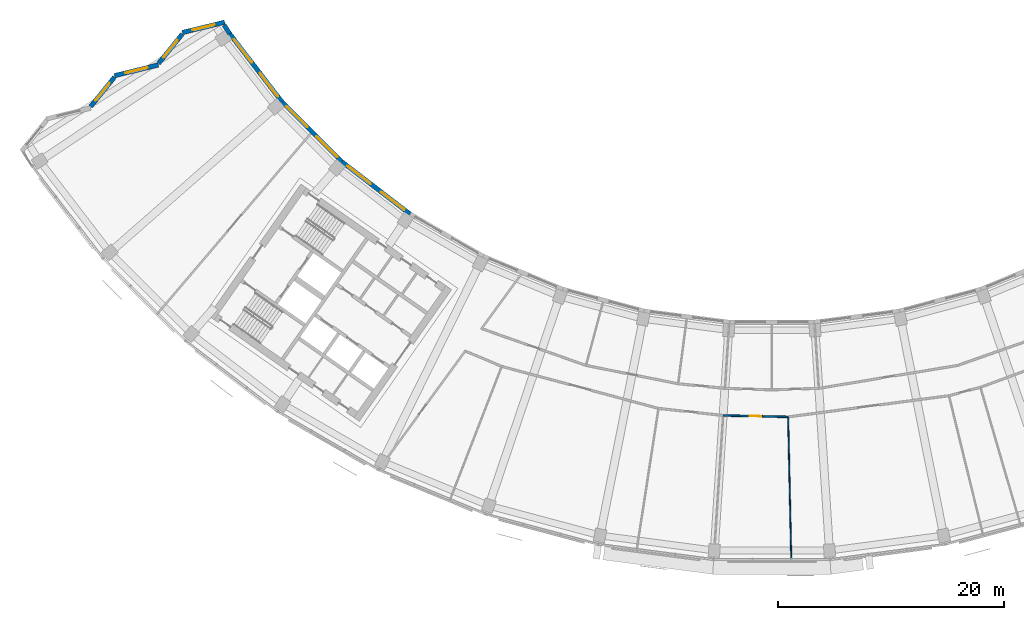
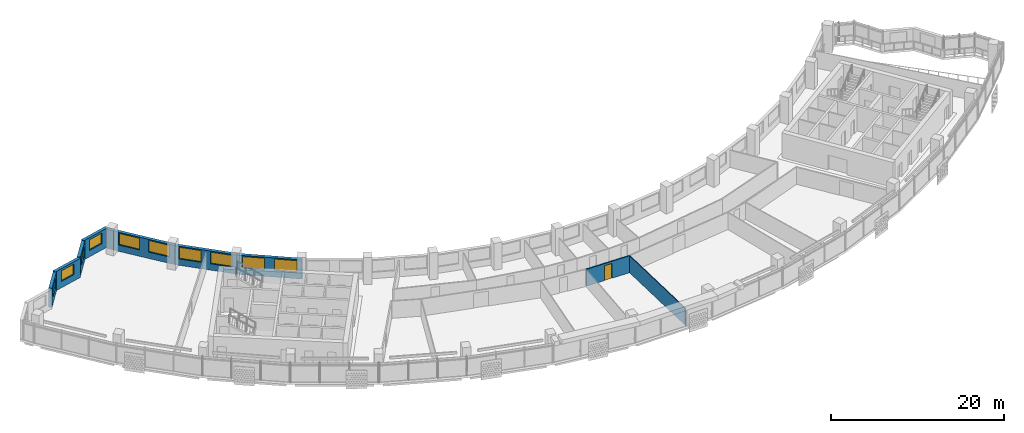
# One storey, part 5 of 29: 10 walls, 10 windows, 1 door, 11 openings.
"""IFC4 building model written with IfcOpenShell, lengths in metres."""

import ifcopenshell
import ifcopenshell.guid

model = None  # the IFC model being written
_history = None  # IfcOwnerHistory: only IFC2X3 demands one
_inside = {}  # id of a spatial element -> (the spatial element, [elements in it])
_under = {}  # id of a project, library or spatial element -> (it, [spatial elements below it])
_declared = {}  # id of a project -> (the project, [libraries it declares])
_typed = {}  # id of a type object -> (the type object, [elements of that type])
_made_of = {}  # id of a material, layer set ... -> (it, [elements and type objects made of it])


def new_model(schema):
    """Start an empty IFC model of exactly this schema.

    Asked for "IFC4X3", IfcOpenShell would pick the latest addendum, in which some entities
    have other attributes; the version numbers below select the first issue.
    IFC2X3 requires an IfcOwnerHistory on every rooted entity: one is made here for all.
    """
    global model, _history
    if schema == "IFC4X3":
        model = ifcopenshell.file(schema_version=(4, 3, 0, 0))
    else:
        model = ifcopenshell.file(schema=schema)
    _inside.clear()
    _under.clear()
    _declared.clear()
    _typed.clear()
    _made_of.clear()
    _history = None
    if model.schema == "IFC2X3":
        org = make("IfcOrganization", Name="unknown")
        user = make(
            "IfcPersonAndOrganization",
            ThePerson=make("IfcPerson", FamilyName="unknown"),
            TheOrganization=org,
        )
        app = make(
            "IfcApplication",
            ApplicationDeveloper=org,
            Version="unknown",
            ApplicationFullName="unknown",
            ApplicationIdentifier="unknown",
        )
        _history = make(
            "IfcOwnerHistory",
            OwningUser=user,
            OwningApplication=app,
            ChangeAction="ADDED",
            CreationDate=0,
        )
    return model


def make(cls, **values):
    """One entity of the class cls with the attributes given. An attribute that is None is left unset."""
    return model.create_entity(
        cls, **{name: value for name, value in values.items() if value is not None}
    )


def rooted(cls, **values):
    """An entity with a GlobalId (a new one), such as an element, a storey or a relation."""
    return make(cls, GlobalId=ifcopenshell.guid.new(), OwnerHistory=_history, **values)


def si_unit(unit_type, name, prefix=None):
    """IfcSIUnit, for example si_unit("LENGTHUNIT", "METRE", prefix="MILLI")."""
    return make("IfcSIUnit", UnitType=unit_type, Prefix=prefix, Name=name)


def assignment(units):
    """IfcUnitAssignment: the units of a project."""
    return None if units is None else make("IfcUnitAssignment", Units=units)


def point(xyz):
    """IfcCartesianPoint."""
    return None if xyz is None else make("IfcCartesianPoint", Coordinates=xyz)


def direction(xyz):
    """IfcDirection."""
    return None if xyz is None else make("IfcDirection", DirectionRatios=xyz)


def frame(location, z_axis=None, x_axis=None):
    """IfcAxis2Placement3D, a coordinate frame: its origin and axes. An axis left out is left unset."""
    return make(
        "IfcAxis2Placement3D",
        Location=point(location),
        Axis=direction(z_axis),
        RefDirection=direction(x_axis),
    )


def frame_2d(location, x_axis=None):
    """IfcAxis2Placement2D, a coordinate frame in the plane: its origin and x axis."""
    return make(
        "IfcAxis2Placement2D", Location=point(location), RefDirection=direction(x_axis)
    )


def origin():
    """The frame at (0, 0, 0) with its axes left unset."""
    return frame((0.0, 0.0, 0.0))


def place(relative_to, where):
    """IfcLocalPlacement: puts the frame where relative to a parent placement (None: the world)."""
    return make(
        "IfcLocalPlacement", PlacementRelTo=relative_to, RelativePlacement=where
    )


def context(
    kind, dimensions, precision=None, world=None, true_north=None, identifier=None
):
    """IfcGeometricRepresentationContext, for example the 3D "Model" context."""
    return make(
        "IfcGeometricRepresentationContext",
        ContextIdentifier=identifier,
        ContextType=kind,
        CoordinateSpaceDimension=dimensions,
        Precision=precision,
        WorldCoordinateSystem=world,
        TrueNorth=true_north,
    )


def subcontext(parent, identifier, kind, view, scale=None):
    """IfcGeometricRepresentationSubContext, for example "Body" below "Model"."""
    return make(
        "IfcGeometricRepresentationSubContext",
        ContextIdentifier=identifier,
        ContextType=kind,
        ParentContext=parent,
        TargetScale=scale,
        TargetView=view,
    )


def project(units=None, contexts=None):
    """IfcProject with its units and contexts."""
    return rooted(
        "IfcProject",
        Name="project",
        RepresentationContexts=contexts,
        UnitsInContext=assignment(units),
    )


def spatial(cls, under=None, at=None, **own):
    """A site, building, storey or space (cls), placed at a placement, below another one or the project."""
    s = rooted(cls, ObjectPlacement=at, **own)
    if under is not None:
        _under.setdefault(under.id(), (under, []))[1].append(s)
    return s


def profile(cls, at=None, kind="AREA", **sizes):
    """A parametric profile (cls). Its sizes go by their IFC names, for example OverallWidth=200.0."""
    return make(cls, ProfileType=kind, Position=at, **sizes)


def rectangle(**sizes):
    """IfcRectangleProfileDef."""
    return profile("IfcRectangleProfileDef", **sizes)


def extrude(swept, where, along, depth):
    """IfcExtrudedAreaSolid: the profile swept, set in the frame where, extruded along a direction by depth."""
    return make(
        "IfcExtrudedAreaSolid",
        SweptArea=swept,
        Position=where,
        ExtrudedDirection=direction(along),
        Depth=depth,
    )


def shape(context_of_items, identifier, shape_type, items):
    """IfcShapeRepresentation: the items that make up one representation, for example the "Body"."""
    return make(
        "IfcShapeRepresentation",
        ContextOfItems=context_of_items,
        RepresentationIdentifier=identifier,
        RepresentationType=shape_type,
        Items=items,
    )


def material(Name=None, Category=None):
    """IfcMaterial."""
    return make("IfcMaterial", Name=Name, Category=Category)


def layer(
    of_material, thickness, ventilated=None, Name=None, Category=None, Priority=None
):
    """IfcMaterialLayer: one layer of a wall or slab, of a material (None: an air gap)."""
    return make(
        "IfcMaterialLayer",
        Material=of_material,
        LayerThickness=thickness,
        IsVentilated=ventilated,
        Name=Name,
        Category=Category,
        Priority=Priority,
    )


def layer_set(layers, Name=None):
    """IfcMaterialLayerSet."""
    return make("IfcMaterialLayerSet", MaterialLayers=layers, LayerSetName=Name)


def made_of(thing, what):
    """Note that an element or type object is made of a material, layer set ...; save() writes the relation."""
    if what is not None:
        _made_of.setdefault(what.id(), (what, []))[1].append(thing)
    return thing


def type_object(cls, material=None, **own):
    """A type object (cls), such as IfcWallType, which elements share."""
    return made_of(rooted(cls, **own), material)


def element(
    cls,
    number,
    at=None,
    inside=None,
    cuts=None,
    type_object=None,
    material=None,
    context=None,
    identifier="Body",
    shape_type=None,
    held_by="IfcProductDefinitionShape",
    body=None,
    shapes=None,
    **own,
):
    """One element of the class cls, such as IfcWall. Its Tag is "e" and its number.

    at: its placement. inside: the storey or other place that contains it. cuts: it is an
    opening in that element (IfcRelVoidsElement). A single representation is given by context,
    identifier, shape_type and body (its items); several are given by shapes. held_by: the class
    of the entity that holds the representations. save() writes the other relations.
    """
    e = rooted(cls, Tag="e%d" % number, ObjectPlacement=at, **own)
    if body is not None:
        shapes = [shape(context, identifier, shape_type, body)]
    if shapes is not None:
        e.Representation = make(held_by, Representations=shapes)
    if inside is not None:
        _inside.setdefault(inside.id(), (inside, []))[1].append(e)
    if cuts is not None:
        rooted(
            "IfcRelVoidsElement", RelatingBuildingElement=cuts, RelatedOpeningElement=e
        )
    if type_object is not None:
        _typed.setdefault(type_object.id(), (type_object, []))[1].append(e)
    return made_of(e, material)


def fill(opening, filler):
    """IfcRelFillsElement: the door or window that sits in an opening."""
    return rooted(
        "IfcRelFillsElement",
        RelatingOpeningElement=opening,
        RelatedBuildingElement=filler,
    )


def aggregate(whole, parts):
    """IfcRelAggregates: a whole, such as a stair, and the parts it consists of."""
    return rooted("IfcRelAggregates", RelatingObject=whole, RelatedObjects=parts)


def save(model, path):
    """Write the relations noted so far, then the file.

    IfcRelAggregates (storeys below a building ...), IfcRelContainedInSpatialStructure (elements
    in a storey), IfcRelDefinesByType, IfcRelAssociatesMaterial and IfcRelDeclares: one each for
    every whole, place, type object, material and project.
    """
    for whole, parts in _under.values():
        aggregate(whole, parts)
    for where, things in _inside.values():
        rooted(
            "IfcRelContainedInSpatialStructure",
            RelatedElements=things,
            RelatingStructure=where,
        )
    for kind, things in _typed.values():
        rooted("IfcRelDefinesByType", RelatedObjects=things, RelatingType=kind)
    for what, things in _made_of.values():
        rooted("IfcRelAssociatesMaterial", RelatedObjects=things, RelatingMaterial=what)
    for by, libraries in _declared.values():
        rooted("IfcRelDeclares", RelatingContext=by, RelatedDefinitions=libraries)
    model.write(path)


model = new_model("IFC4")

# Units and contexts
model_context = context("Model", 3, precision=1e-05, world=origin(), true_north=direction((0.0, 1.0)))
body_context = subcontext(model_context, "Body", "Model", "MODEL_VIEW")
ifc_project = project(units=[si_unit("LENGTHUNIT", "METRE"), si_unit("AREAUNIT", "SQUARE_METRE"), si_unit("VOLUMEUNIT", "CUBIC_METRE"), si_unit("PLANEANGLEUNIT", "RADIAN"), si_unit("MASSUNIT", "GRAM", prefix="KILO")], contexts=[model_context])

# Site, building, storey
site_placement = place(None, origin())
site = spatial("IfcSite", under=ifc_project, at=site_placement, CompositionType="ELEMENT")
building_placement = place(site_placement, origin())
building = spatial("IfcBuilding", under=site, at=building_placement, Name="Qamariyya Broadcast Tower", CompositionType="ELEMENT")
storey_placement = place(building_placement, frame((0.0, 0.0, 207.5)))
storey = spatial("IfcBuildingStorey", under=building, at=storey_placement, Name="L49", CompositionType="ELEMENT", Elevation=207.5)

# Wall, opening, door
ifc_material_1 = material(Name="Gypsum board partition")
ifc_layer_1 = layer(ifc_material_1, 0.14990234375)
ifc_layer_set_1 = layer_set([ifc_layer_1], Name="Corridor partition 150 EI 60")
wall_type_1 = type_object("IfcWallType", Name="Corridor partition 150 EI 60", PredefinedType="PARTITIONING", material=ifc_layer_set_1)
wall_1_placement = place(storey_placement, frame((1.437255859375, -65.7841796875, 0.0), z_axis=(0.0, 0.0, 1.0), x_axis=(-0.999763025016, 0.021769102186, 0.0)))
wall_1 = element("IfcWall", 1, at=wall_1_placement, inside=storey, type_object=wall_type_1, Name="Partition L49-015", PredefinedType="PARTITIONING", context=body_context, shape_type="SweptSolid", body=[
    extrude(rectangle(XDim=5.7421875, YDim=0.14990234375, at=frame_2d((2.87109375, 0.0))), origin(), (0.0, 0.0, 1.0), 2.39990234375),
])
opening_1_placement = place(wall_1_placement, frame((2.37109375, 0.0, 0.0)))
opening_1 = element("IfcOpeningElement", 2, at=opening_1_placement, cuts=wall_1, Name="Opening L49-D04", PredefinedType="OPENING", context=body_context, shape_type="SweptSolid", body=[
    extrude(rectangle(XDim=1.0, YDim=2.10009765625, at=frame_2d((0.5, 1.050048828125))), frame((0.0, 0.0849609375, 0.0), z_axis=(0.0, -1.0, 0.0), x_axis=(1.0, 0.0, 0.0)), (0.0, 0.0, 1.0), 0.169921875),
])
ifc_material_2 = material(Name="Timber fire door leaf", Category="wood")
door_type = type_object("IfcDoorType", Name="Fire door 1000 x 2100 FD60", OperationType="NOTDEFINED", PredefinedType="DOOR", material=ifc_material_2)
door_placement = place(opening_1_placement, origin())
door = element("IfcDoor", 3, at=door_placement, inside=storey, type_object=door_type, Name="Door L49-D04", OperationType="SINGLE_SWING_RIGHT", OverallHeight=2.10009765625, OverallWidth=1.0, PredefinedType="DOOR", context=body_context, shape_type="SweptSolid", body=[
    extrude(rectangle(XDim=1.0, YDim=2.10009765625, at=frame_2d((0.5, 1.050048828125))), frame((0.0, 0.02490234375, 0.0), z_axis=(0.0, -1.0, 0.0), x_axis=(1.0, 0.0, 0.0)), (0.0, 0.0, 1.0), 0.050048828125),
])
fill(opening_1, door)

# Wall
ifc_layer_2 = layer(ifc_material_1, 0.10009765625)
ifc_layer_set_2 = layer_set([ifc_layer_2], Name="Partition 100")
wall_type_2 = type_object("IfcWallType", Name="Partition 100", PredefinedType="PARTITIONING", material=ifc_layer_set_2)
wall_2_placement = place(storey_placement, frame((1.710205078125, -78.28173828125, 0.0), z_axis=(0.0, 0.0, 1.0), x_axis=(-0.02182963041, 0.999761705226, 0.0)))
element("IfcWall", 4, at=wall_2_placement, inside=storey, type_object=wall_type_2, Name="Partition L49-021", PredefinedType="PARTITIONING", context=body_context, shape_type="SweptSolid", body=[
    extrude(rectangle(XDim=12.42529296875, YDim=0.10009765625, at=frame_2d((6.212646484375, 0.0))), origin(), (0.0, 0.0, 1.0), 2.39990234375),
])

# Wall, opening, window
ifc_material_3 = material(Name="Terracotta", Category="masonry")
ifc_layer_3 = layer(ifc_material_3, 0.39990234375)
ifc_layer_set_3 = layer_set([ifc_layer_3], Name="Terracotta clad wall 400")
wall_type_3 = type_object("IfcWallType", Name="Terracotta clad wall 400", PredefinedType="SOLIDWALL", material=ifc_layer_set_3)
wall_3_placement = place(storey_placement, frame((-48.315185546875, -30.932373046875, 0.0), z_axis=(0.0, 0.0, 1.0), x_axis=(-0.971581043883, -0.236707150648, 0.0)))
wall_3 = element("IfcWall", 5, at=wall_3_placement, inside=storey, type_object=wall_type_3, Name="e-wl-L49-capW0", PredefinedType="SOLIDWALL", context=body_context, shape_type="SweptSolid", body=[
    extrude(rectangle(XDim=3.8369140625, YDim=0.39990234375, at=frame_2d((1.91845703125, 0.0))), origin(), (0.0, 0.0, 1.0), 2.699951171875),
])
opening_2_placement = place(wall_3_placement, frame((0.91845703125, 0.0, 0.89990234375)))
opening_2 = element("IfcOpeningElement", 6, at=opening_2_placement, cuts=wall_3, Name="Opening W4", PredefinedType="OPENING", context=body_context, shape_type="SweptSolid", body=[
    extrude(rectangle(XDim=2.0, YDim=1.5, at=frame_2d((1.0, 0.75))), frame((0.0, 0.2099609375, 0.0), z_axis=(0.0, -1.0, 0.0), x_axis=(1.0, 0.0, 0.0)), (0.0, 0.0, 1.0), 0.419921875),
])
ifc_material_4 = material(Name="Clear low-e double glazed unit in aluminium frame", Category="aluminium")
window_type_1 = type_object("IfcWindowType", Name="Horn bay window 2000 x 1500", PartitioningType="SINGLE_PANEL", PredefinedType="WINDOW", material=ifc_material_4)
window_1_placement = place(opening_2_placement, origin())
window_1 = element("IfcWindow", 7, at=window_1_placement, inside=storey, type_object=window_type_1, Name="e-w-L49-capW0", OverallHeight=1.5, OverallWidth=2.0, PartitioningType="SINGLE_PANEL", PredefinedType="WINDOW", context=body_context, shape_type="SweptSolid", body=[
    extrude(rectangle(XDim=2.0, YDim=1.5, at=frame_2d((1.0, 0.75))), frame((0.0, 0.030029296875, 0.0), z_axis=(0.0, -1.0, 0.0), x_axis=(1.0, 0.0, 0.0)), (0.0, 0.0, 1.0), 0.06005859375),
])
fill(opening_2, window_1)

wall_4_placement = place(storey_placement, frame((-52.0625, -31.98046875, 0.0), z_axis=(0.0, 0.0, 1.0), x_axis=(-0.628777875395, -0.777584968614, 0.0)))
wall_4 = element("IfcWall", 8, at=wall_4_placement, inside=storey, type_object=wall_type_3, Name="e-wl-L49-capW1", PredefinedType="SOLIDWALL", context=body_context, shape_type="SweptSolid", body=[
    extrude(rectangle(XDim=3.32568359375, YDim=0.39990234375, at=frame_2d((1.662841796875, 0.0))), origin(), (0.0, 0.0, 1.0), 2.699951171875),
])
opening_3_placement = place(wall_4_placement, frame((0.662841796875, 0.0, 0.89990234375)))
opening_3 = element("IfcOpeningElement", 9, at=opening_3_placement, cuts=wall_4, Name="Opening W4", PredefinedType="OPENING", context=body_context, shape_type="SweptSolid", body=[
    extrude(rectangle(XDim=2.0, YDim=1.5, at=frame_2d((1.0, 0.75))), frame((0.0, 0.2099609375, 0.0), z_axis=(0.0, -1.0, 0.0), x_axis=(1.0, 0.0, 0.0)), (0.0, 0.0, 1.0), 0.419921875),
])
window_2_placement = place(opening_3_placement, origin())
window_2 = element("IfcWindow", 10, at=window_2_placement, inside=storey, type_object=window_type_1, Name="e-w-L49-capW1", OverallHeight=1.5, OverallWidth=2.0, PartitioningType="SINGLE_PANEL", PredefinedType="WINDOW", context=body_context, shape_type="SweptSolid", body=[
    extrude(rectangle(XDim=2.0, YDim=1.5, at=frame_2d((1.0, 0.75))), frame((0.0, 0.030029296875, 0.0), z_axis=(0.0, -1.0, 0.0), x_axis=(1.0, 0.0, 0.0)), (0.0, 0.0, 1.0), 0.06005859375),
])
fill(opening_3, window_2)

wall_5_placement = place(storey_placement, frame((-54.173095703125, -34.706298828125, 0.0), z_axis=(0.0, 0.0, 1.0), x_axis=(-0.971569603362, -0.23675410413, 0.0)))
wall_5 = element("IfcWall", 11, at=wall_5_placement, inside=storey, type_object=wall_type_3, Name="e-wl-L49-capW2", PredefinedType="SOLIDWALL", context=body_context, shape_type="SweptSolid", body=[
    extrude(rectangle(XDim=3.977294921875, YDim=0.39990234375, at=frame_2d((1.98876953125, 0.0))), origin(), (0.0, 0.0, 1.0), 2.699951171875),
])
opening_4_placement = place(wall_5_placement, frame((0.988525390625, 0.0, 0.89990234375)))
opening_4 = element("IfcOpeningElement", 12, at=opening_4_placement, cuts=wall_5, Name="Opening W4", PredefinedType="OPENING", context=body_context, shape_type="SweptSolid", body=[
    extrude(rectangle(XDim=2.0, YDim=1.5, at=frame_2d((1.0, 0.75))), frame((0.0, 0.2099609375, 0.0), z_axis=(0.0, -1.0, 0.0), x_axis=(1.0, 0.0, 0.0)), (0.0, 0.0, 1.0), 0.419921875),
])
window_3_placement = place(opening_4_placement, origin())
window_3 = element("IfcWindow", 13, at=window_3_placement, inside=storey, type_object=window_type_1, Name="e-w-L49-capW2", OverallHeight=1.5, OverallWidth=2.0, PartitioningType="SINGLE_PANEL", PredefinedType="WINDOW", context=body_context, shape_type="SweptSolid", body=[
    extrude(rectangle(XDim=2.0, YDim=1.5, at=frame_2d((1.0, 0.75))), frame((0.0, 0.030029296875, 0.0), z_axis=(0.0, -1.0, 0.0), x_axis=(1.0, 0.0, 0.0)), (0.0, 0.0, 1.0), 0.06005859375),
])
fill(opening_4, window_3)

wall_6_placement = place(storey_placement, frame((-58.056640625, -35.787841796875, 0.0), z_axis=(0.0, 0.0, 1.0), x_axis=(-0.628672072819, -0.777670511757, 0.0)))
wall_6 = element("IfcWall", 14, at=wall_6_placement, inside=storey, type_object=wall_type_3, Name="e-wl-L49-capW3", PredefinedType="SOLIDWALL", context=body_context, shape_type="SweptSolid", body=[
    extrude(rectangle(XDim=3.32470703125, YDim=0.39990234375, at=frame_2d((1.662353515625, 0.0))), origin(), (0.0, 0.0, 1.0), 2.699951171875),
])
opening_5_placement = place(wall_6_placement, frame((0.662353515625, 0.0, 0.89990234375)))
opening_5 = element("IfcOpeningElement", 15, at=opening_5_placement, cuts=wall_6, Name="Opening W4", PredefinedType="OPENING", context=body_context, shape_type="SweptSolid", body=[
    extrude(rectangle(XDim=2.0, YDim=1.5, at=frame_2d((1.0, 0.75))), frame((0.0, 0.2099609375, 0.0), z_axis=(0.0, -1.0, 0.0), x_axis=(1.0, 0.0, 0.0)), (0.0, 0.0, 1.0), 0.419921875),
])
window_4_placement = place(opening_5_placement, origin())
window_4 = element("IfcWindow", 16, at=window_4_placement, inside=storey, type_object=window_type_1, Name="e-w-L49-capW3", OverallHeight=1.5, OverallWidth=2.0, PartitioningType="SINGLE_PANEL", PredefinedType="WINDOW", context=body_context, shape_type="SweptSolid", body=[
    extrude(rectangle(XDim=2.0, YDim=1.5, at=frame_2d((1.0, 0.75))), frame((0.0, 0.030029296875, 0.0), z_axis=(0.0, -1.0, 0.0), x_axis=(1.0, 0.0, 0.0)), (0.0, 0.0, 1.0), 0.06005859375),
])
fill(opening_5, window_4)

# Wall
wall_7_placement = place(storey_placement, frame((-47.86474609375, -31.952392578125, 0.0), z_axis=(0.0, 0.0, 1.0), x_axis=(-0.545834918393, 0.837892738877, 0.0)))
element("IfcWall", 17, at=wall_7_placement, inside=storey, type_object=wall_type_3, Name="e-wl-L49-in00", PredefinedType="SOLIDWALL", context=body_context, shape_type="SweptSolid", body=[
    extrude(rectangle(XDim=0.912109375, YDim=0.39990234375, at=frame_2d((0.4560546875, 0.0))), origin(), (0.0, 0.0, 1.0), 2.699951171875),
])

# Wall, openings, windows
wall_8_placement = place(storey_placement, frame((-43.25341796875, -37.965576171875, 0.0), z_axis=(0.0, 0.0, 1.0), x_axis=(-0.608744603842, 0.793366250412, 0.0)))
wall_8 = element("IfcWall", 18, at=wall_8_placement, inside=storey, type_object=wall_type_3, Name="e-wl-L49-in10", PredefinedType="SOLIDWALL", context=body_context, shape_type="SweptSolid", body=[
    extrude(rectangle(XDim=7.562744140625, YDim=0.39990234375, at=frame_2d((3.78125, 0.0))), origin(), (0.0, 0.0, 1.0), 2.699951171875),
])
opening_6_placement = place(wall_8_placement, frame((4.364501953125, 0.0, 0.89990234375)))
opening_6 = element("IfcOpeningElement", 19, at=opening_6_placement, cuts=wall_8, Name="Opening W1", PredefinedType="OPENING", context=body_context, shape_type="SweptSolid", body=[
    extrude(rectangle(XDim=2.60009765625, YDim=1.64990234375, at=frame_2d((1.300048828125, 0.824951171875))), frame((0.0, 0.2099609375, 0.0), z_axis=(0.0, -1.0, 0.0), x_axis=(1.0, 0.0, 0.0)), (0.0, 0.0, 1.0), 0.419921875),
])
opening_7_placement = place(wall_8_placement, frame((0.613525390625, 0.0, 0.89990234375)))
opening_7 = element("IfcOpeningElement", 20, at=opening_7_placement, cuts=wall_8, Name="Opening W1", PredefinedType="OPENING", context=body_context, shape_type="SweptSolid", body=[
    extrude(rectangle(XDim=2.60009765625, YDim=1.64990234375, at=frame_2d((1.300048828125, 0.824951171875))), frame((0.0, 0.2099609375, 0.0), z_axis=(0.0, -1.0, 0.0), x_axis=(1.0, 0.0, 0.0)), (0.0, 0.0, 1.0), 0.419921875),
])
window_type_2 = type_object("IfcWindowType", Name="Ribbon window 2600 x 1650", PartitioningType="SINGLE_PANEL", PredefinedType="WINDOW", material=ifc_material_4)
window_5_placement = place(opening_6_placement, origin())
window_5 = element("IfcWindow", 21, at=window_5_placement, inside=storey, type_object=window_type_2, Name="e-w-L49-in01-0", OverallHeight=1.64990234375, OverallWidth=2.60009765625, PartitioningType="SINGLE_PANEL", PredefinedType="WINDOW", context=body_context, shape_type="SweptSolid", body=[
    extrude(rectangle(XDim=2.60009765625, YDim=1.64990234375, at=frame_2d((1.300048828125, 0.824951171875))), frame((0.0, 0.030029296875, 0.0), z_axis=(0.0, -1.0, 0.0), x_axis=(1.0, 0.0, 0.0)), (0.0, 0.0, 1.0), 0.06005859375),
])
fill(opening_6, window_5)
window_6_placement = place(opening_7_placement, origin())
window_6 = element("IfcWindow", 22, at=window_6_placement, inside=storey, type_object=window_type_2, Name="e-w-L49-in01-1", OverallHeight=1.64990234375, OverallWidth=2.60009765625, PartitioningType="SINGLE_PANEL", PredefinedType="WINDOW", context=body_context, shape_type="SweptSolid", body=[
    extrude(rectangle(XDim=2.60009765625, YDim=1.64990234375, at=frame_2d((1.300048828125, 0.824951171875))), frame((0.0, 0.030029296875, 0.0), z_axis=(0.0, -1.0, 0.0), x_axis=(1.0, 0.0, 0.0)), (0.0, 0.0, 1.0), 0.06005859375),
])
fill(opening_7, window_6)

wall_9_placement = place(storey_placement, frame((-37.9814453125, -43.23291015625, 0.0), z_axis=(0.0, 0.0, 1.0), x_axis=(-0.707106781187, 0.707106781187, 0.0)))
wall_9 = element("IfcWall", 23, at=wall_9_placement, inside=storey, type_object=wall_type_3, Name="e-wl-L49-in20", PredefinedType="SOLIDWALL", context=body_context, shape_type="SweptSolid", body=[
    extrude(rectangle(XDim=7.4267578125, YDim=0.39990234375, at=frame_2d((3.71337890625, 0.0))), origin(), (0.0, 0.0, 1.0), 2.699951171875),
])
opening_8_placement = place(wall_9_placement, frame((4.28857421875, 0.0, 0.89990234375)))
opening_8 = element("IfcOpeningElement", 24, at=opening_8_placement, cuts=wall_9, Name="Opening W1", PredefinedType="OPENING", context=body_context, shape_type="SweptSolid", body=[
    extrude(rectangle(XDim=2.60009765625, YDim=1.64990234375, at=frame_2d((1.300048828125, 0.824951171875))), frame((0.0, 0.2099609375, 0.0), z_axis=(0.0, -1.0, 0.0), x_axis=(1.0, 0.0, 0.0)), (0.0, 0.0, 1.0), 0.419921875),
])
opening_9_placement = place(wall_9_placement, frame((0.537841796875, 0.0, 0.89990234375)))
opening_9 = element("IfcOpeningElement", 25, at=opening_9_placement, cuts=wall_9, Name="Opening W1", PredefinedType="OPENING", context=body_context, shape_type="SweptSolid", body=[
    extrude(rectangle(XDim=2.60009765625, YDim=1.64990234375, at=frame_2d((1.300048828125, 0.824951171875))), frame((0.0, 0.2099609375, 0.0), z_axis=(0.0, -1.0, 0.0), x_axis=(1.0, 0.0, 0.0)), (0.0, 0.0, 1.0), 0.419921875),
])
window_7_placement = place(opening_8_placement, origin())
window_7 = element("IfcWindow", 26, at=window_7_placement, inside=storey, type_object=window_type_2, Name="e-w-L49-in02-0", OverallHeight=1.64990234375, OverallWidth=2.60009765625, PartitioningType="SINGLE_PANEL", PredefinedType="WINDOW", context=body_context, shape_type="SweptSolid", body=[
    extrude(rectangle(XDim=2.60009765625, YDim=1.64990234375, at=frame_2d((1.300048828125, 0.824951171875))), frame((0.0, 0.030029296875, 0.0), z_axis=(0.0, -1.0, 0.0), x_axis=(1.0, 0.0, 0.0)), (0.0, 0.0, 1.0), 0.06005859375),
])
fill(opening_8, window_7)
window_8_placement = place(opening_9_placement, origin())
window_8 = element("IfcWindow", 27, at=window_8_placement, inside=storey, type_object=window_type_2, Name="e-w-L49-in02-1", OverallHeight=1.64990234375, OverallWidth=2.60009765625, PartitioningType="SINGLE_PANEL", PredefinedType="WINDOW", context=body_context, shape_type="SweptSolid", body=[
    extrude(rectangle(XDim=2.60009765625, YDim=1.64990234375, at=frame_2d((1.300048828125, 0.824951171875))), frame((0.0, 0.030029296875, 0.0), z_axis=(0.0, -1.0, 0.0), x_axis=(1.0, 0.0, 0.0)), (0.0, 0.0, 1.0), 0.06005859375),
])
fill(opening_9, window_8)

wall_10_placement = place(storey_placement, frame((-31.953369140625, -47.86669921875, 0.0), z_axis=(0.0, 0.0, 1.0), x_axis=(-0.793356365089, 0.608757486995, 0.0)))
wall_10 = element("IfcWall", 28, at=wall_10_placement, inside=storey, type_object=wall_type_3, Name="e-wl-L49-in30", PredefinedType="SOLIDWALL", context=body_context, shape_type="SweptSolid", body=[
    extrude(rectangle(XDim=7.578125, YDim=0.39990234375, at=frame_2d((3.7890625, 0.0))), origin(), (0.0, 0.0, 1.0), 2.699951171875),
])
opening_10_placement = place(wall_10_placement, frame((4.364501953125, 0.0, 0.89990234375)))
opening_10 = element("IfcOpeningElement", 29, at=opening_10_placement, cuts=wall_10, Name="Opening W1", PredefinedType="OPENING", context=body_context, shape_type="SweptSolid", body=[
    extrude(rectangle(XDim=2.60009765625, YDim=1.64990234375, at=frame_2d((1.300048828125, 0.824951171875))), frame((0.0, 0.2099609375, 0.0), z_axis=(0.0, -1.0, 0.0), x_axis=(1.0, 0.0, 0.0)), (0.0, 0.0, 1.0), 0.419921875),
])
opening_11_placement = place(wall_10_placement, frame((0.613525390625, 0.0, 0.89990234375)))
opening_11 = element("IfcOpeningElement", 30, at=opening_11_placement, cuts=wall_10, Name="Opening W1", PredefinedType="OPENING", context=body_context, shape_type="SweptSolid", body=[
    extrude(rectangle(XDim=2.60009765625, YDim=1.64990234375, at=frame_2d((1.300048828125, 0.824951171875))), frame((0.0, 0.2099609375, 0.0), z_axis=(0.0, -1.0, 0.0), x_axis=(1.0, 0.0, 0.0)), (0.0, 0.0, 1.0), 0.419921875),
])
window_9_placement = place(opening_10_placement, origin())
window_9 = element("IfcWindow", 31, at=window_9_placement, inside=storey, type_object=window_type_2, Name="e-w-L49-in03-0", OverallHeight=1.64990234375, OverallWidth=2.60009765625, PartitioningType="SINGLE_PANEL", PredefinedType="WINDOW", context=body_context, shape_type="SweptSolid", body=[
    extrude(rectangle(XDim=2.60009765625, YDim=1.64990234375, at=frame_2d((1.300048828125, 0.824951171875))), frame((0.0, 0.030029296875, 0.0), z_axis=(0.0, -1.0, 0.0), x_axis=(1.0, 0.0, 0.0)), (0.0, 0.0, 1.0), 0.06005859375),
])
fill(opening_10, window_9)
window_10_placement = place(opening_11_placement, origin())
window_10 = element("IfcWindow", 32, at=window_10_placement, inside=storey, type_object=window_type_2, Name="e-w-L49-in03-1", OverallHeight=1.64990234375, OverallWidth=2.60009765625, PartitioningType="SINGLE_PANEL", PredefinedType="WINDOW", context=body_context, shape_type="SweptSolid", body=[
    extrude(rectangle(XDim=2.60009765625, YDim=1.64990234375, at=frame_2d((1.300048828125, 0.824951171875))), frame((0.0, 0.030029296875, 0.0), z_axis=(0.0, -1.0, 0.0), x_axis=(1.0, 0.0, 0.0)), (0.0, 0.0, 1.0), 0.06005859375),
])
fill(opening_11, window_10)

save(model, "model.ifc")
